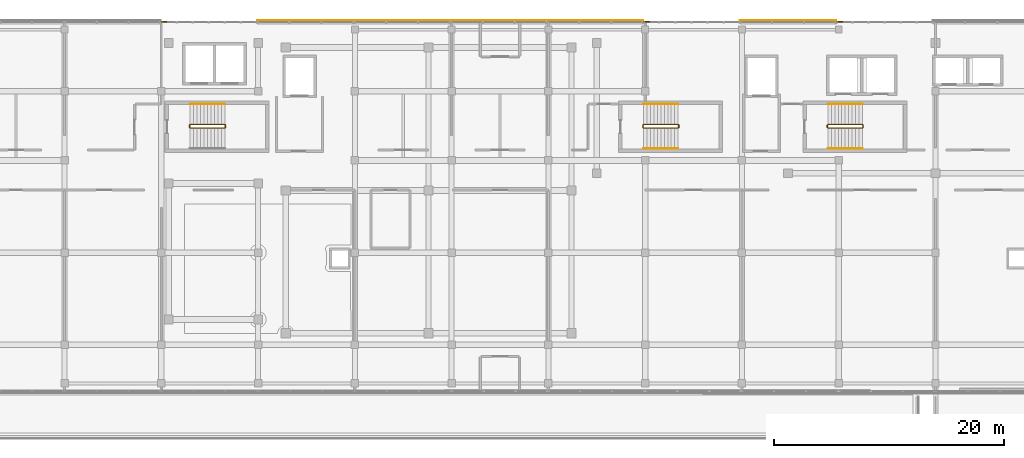
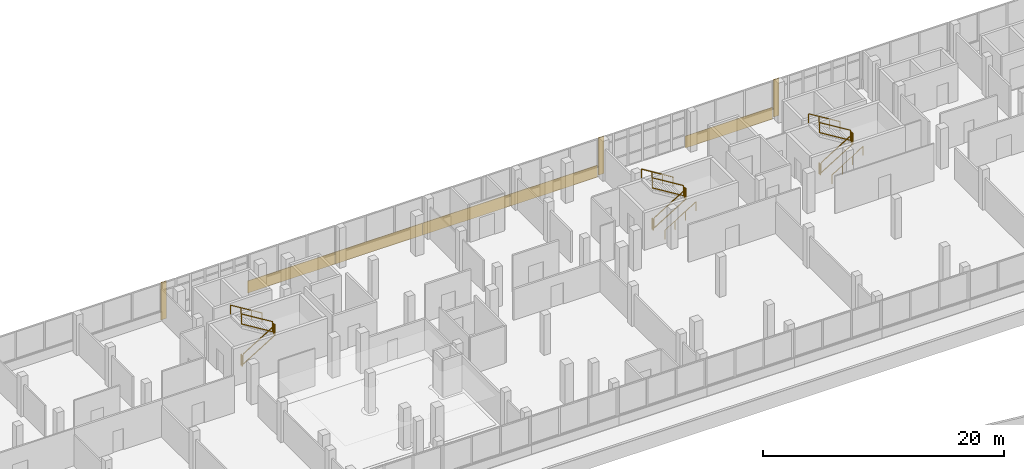
# One storey, part 75 of 78: 17 railings, 8 coverings.
"""IFC4 building model written with IfcOpenShell, lengths in metres."""

import ifcopenshell
import ifcopenshell.guid

model = None  # the IFC model being written
_history = None  # IfcOwnerHistory: only IFC2X3 demands one
_inside = {}  # id of a spatial element -> (the spatial element, [elements in it])
_under = {}  # id of a project, library or spatial element -> (it, [spatial elements below it])
_declared = {}  # id of a project -> (the project, [libraries it declares])
_typed = {}  # id of a type object -> (the type object, [elements of that type])
_made_of = {}  # id of a material, layer set ... -> (it, [elements and type objects made of it])


def new_model(schema):
    """Start an empty IFC model of exactly this schema.

    Asked for "IFC4X3", IfcOpenShell would pick the latest addendum, in which some entities
    have other attributes; the version numbers below select the first issue.
    IFC2X3 requires an IfcOwnerHistory on every rooted entity: one is made here for all.
    """
    global model, _history
    if schema == "IFC4X3":
        model = ifcopenshell.file(schema_version=(4, 3, 0, 0))
    else:
        model = ifcopenshell.file(schema=schema)
    _inside.clear()
    _under.clear()
    _declared.clear()
    _typed.clear()
    _made_of.clear()
    _history = None
    if model.schema == "IFC2X3":
        org = make("IfcOrganization", Name="unknown")
        user = make(
            "IfcPersonAndOrganization",
            ThePerson=make("IfcPerson", FamilyName="unknown"),
            TheOrganization=org,
        )
        app = make(
            "IfcApplication",
            ApplicationDeveloper=org,
            Version="unknown",
            ApplicationFullName="unknown",
            ApplicationIdentifier="unknown",
        )
        _history = make(
            "IfcOwnerHistory",
            OwningUser=user,
            OwningApplication=app,
            ChangeAction="ADDED",
            CreationDate=0,
        )
    return model


def make(cls, **values):
    """One entity of the class cls with the attributes given. An attribute that is None is left unset."""
    return model.create_entity(
        cls, **{name: value for name, value in values.items() if value is not None}
    )


def rooted(cls, **values):
    """An entity with a GlobalId (a new one), such as an element, a storey or a relation."""
    return make(cls, GlobalId=ifcopenshell.guid.new(), OwnerHistory=_history, **values)


def si_unit(unit_type, name, prefix=None):
    """IfcSIUnit, for example si_unit("LENGTHUNIT", "METRE", prefix="MILLI")."""
    return make("IfcSIUnit", UnitType=unit_type, Prefix=prefix, Name=name)


def assignment(units):
    """IfcUnitAssignment: the units of a project."""
    return None if units is None else make("IfcUnitAssignment", Units=units)


def point(xyz):
    """IfcCartesianPoint."""
    return None if xyz is None else make("IfcCartesianPoint", Coordinates=xyz)


def direction(xyz):
    """IfcDirection."""
    return None if xyz is None else make("IfcDirection", DirectionRatios=xyz)


def frame(location, z_axis=None, x_axis=None):
    """IfcAxis2Placement3D, a coordinate frame: its origin and axes. An axis left out is left unset."""
    return make(
        "IfcAxis2Placement3D",
        Location=point(location),
        Axis=direction(z_axis),
        RefDirection=direction(x_axis),
    )


def frame_2d(location, x_axis=None):
    """IfcAxis2Placement2D, a coordinate frame in the plane: its origin and x axis."""
    return make(
        "IfcAxis2Placement2D", Location=point(location), RefDirection=direction(x_axis)
    )


def origin():
    """The frame at (0, 0, 0) with its axes left unset."""
    return frame((0.0, 0.0, 0.0))


def origin_2d():
    """The frame at (0, 0) in the plane with its x axis left unset."""
    return frame_2d((0.0, 0.0))


def place(relative_to, where):
    """IfcLocalPlacement: puts the frame where relative to a parent placement (None: the world)."""
    return make(
        "IfcLocalPlacement", PlacementRelTo=relative_to, RelativePlacement=where
    )


def context(
    kind, dimensions, precision=None, world=None, true_north=None, identifier=None
):
    """IfcGeometricRepresentationContext, for example the 3D "Model" context."""
    return make(
        "IfcGeometricRepresentationContext",
        ContextIdentifier=identifier,
        ContextType=kind,
        CoordinateSpaceDimension=dimensions,
        Precision=precision,
        WorldCoordinateSystem=world,
        TrueNorth=true_north,
    )


def subcontext(parent, identifier, kind, view, scale=None):
    """IfcGeometricRepresentationSubContext, for example "Body" below "Model"."""
    return make(
        "IfcGeometricRepresentationSubContext",
        ContextIdentifier=identifier,
        ContextType=kind,
        ParentContext=parent,
        TargetScale=scale,
        TargetView=view,
    )


def project(units=None, contexts=None):
    """IfcProject with its units and contexts."""
    return rooted(
        "IfcProject",
        Name="project",
        RepresentationContexts=contexts,
        UnitsInContext=assignment(units),
    )


def spatial(cls, under=None, at=None, **own):
    """A site, building, storey or space (cls), placed at a placement, below another one or the project."""
    s = rooted(cls, ObjectPlacement=at, **own)
    if under is not None:
        _under.setdefault(under.id(), (under, []))[1].append(s)
    return s


def profile(cls, at=None, kind="AREA", **sizes):
    """A parametric profile (cls). Its sizes go by their IFC names, for example OverallWidth=200.0."""
    return make(cls, ProfileType=kind, Position=at, **sizes)


def rectangle(**sizes):
    """IfcRectangleProfileDef."""
    return profile("IfcRectangleProfileDef", **sizes)


def circle(**sizes):
    """IfcCircleProfileDef."""
    return profile("IfcCircleProfileDef", **sizes)


def extrude(swept, where, along, depth):
    """IfcExtrudedAreaSolid: the profile swept, set in the frame where, extruded along a direction by depth."""
    return make(
        "IfcExtrudedAreaSolid",
        SweptArea=swept,
        Position=where,
        ExtrudedDirection=direction(along),
        Depth=depth,
    )


def shape(context_of_items, identifier, shape_type, items):
    """IfcShapeRepresentation: the items that make up one representation, for example the "Body"."""
    return make(
        "IfcShapeRepresentation",
        ContextOfItems=context_of_items,
        RepresentationIdentifier=identifier,
        RepresentationType=shape_type,
        Items=items,
    )


def material(Name=None, Category=None):
    """IfcMaterial."""
    return make("IfcMaterial", Name=Name, Category=Category)


def layer(
    of_material, thickness, ventilated=None, Name=None, Category=None, Priority=None
):
    """IfcMaterialLayer: one layer of a wall or slab, of a material (None: an air gap)."""
    return make(
        "IfcMaterialLayer",
        Material=of_material,
        LayerThickness=thickness,
        IsVentilated=ventilated,
        Name=Name,
        Category=Category,
        Priority=Priority,
    )


def layer_set(layers, Name=None):
    """IfcMaterialLayerSet."""
    return make("IfcMaterialLayerSet", MaterialLayers=layers, LayerSetName=Name)


def made_of(thing, what):
    """Note that an element or type object is made of a material, layer set ...; save() writes the relation."""
    if what is not None:
        _made_of.setdefault(what.id(), (what, []))[1].append(thing)
    return thing


def type_object(cls, material=None, **own):
    """A type object (cls), such as IfcWallType, which elements share."""
    return made_of(rooted(cls, **own), material)


def element(
    cls,
    number,
    at=None,
    inside=None,
    cuts=None,
    type_object=None,
    material=None,
    context=None,
    identifier="Body",
    shape_type=None,
    held_by="IfcProductDefinitionShape",
    body=None,
    shapes=None,
    **own,
):
    """One element of the class cls, such as IfcWall. Its Tag is "e" and its number.

    at: its placement. inside: the storey or other place that contains it. cuts: it is an
    opening in that element (IfcRelVoidsElement). A single representation is given by context,
    identifier, shape_type and body (its items); several are given by shapes. held_by: the class
    of the entity that holds the representations. save() writes the other relations.
    """
    e = rooted(cls, Tag="e%d" % number, ObjectPlacement=at, **own)
    if body is not None:
        shapes = [shape(context, identifier, shape_type, body)]
    if shapes is not None:
        e.Representation = make(held_by, Representations=shapes)
    if inside is not None:
        _inside.setdefault(inside.id(), (inside, []))[1].append(e)
    if cuts is not None:
        rooted(
            "IfcRelVoidsElement", RelatingBuildingElement=cuts, RelatedOpeningElement=e
        )
    if type_object is not None:
        _typed.setdefault(type_object.id(), (type_object, []))[1].append(e)
    return made_of(e, material)


def aggregate(whole, parts):
    """IfcRelAggregates: a whole, such as a stair, and the parts it consists of."""
    return rooted("IfcRelAggregates", RelatingObject=whole, RelatedObjects=parts)


def save(model, path):
    """Write the relations noted so far, then the file.

    IfcRelAggregates (storeys below a building ...), IfcRelContainedInSpatialStructure (elements
    in a storey), IfcRelDefinesByType, IfcRelAssociatesMaterial and IfcRelDeclares: one each for
    every whole, place, type object, material and project.
    """
    for whole, parts in _under.values():
        aggregate(whole, parts)
    for where, things in _inside.values():
        rooted(
            "IfcRelContainedInSpatialStructure",
            RelatedElements=things,
            RelatingStructure=where,
        )
    for kind, things in _typed.values():
        rooted("IfcRelDefinesByType", RelatedObjects=things, RelatingType=kind)
    for what, things in _made_of.values():
        rooted("IfcRelAssociatesMaterial", RelatedObjects=things, RelatingMaterial=what)
    for by, libraries in _declared.values():
        rooted("IfcRelDeclares", RelatingContext=by, RelatedDefinitions=libraries)
    model.write(path)


model = new_model("IFC4")

# Units and contexts
model_context = context("Model", 3, precision=1e-05, world=origin(), true_north=direction((0.0, 1.0)))
body_context = subcontext(model_context, "Body", "Model", "MODEL_VIEW")
ifc_project = project(units=[si_unit("LENGTHUNIT", "METRE"), si_unit("AREAUNIT", "SQUARE_METRE"), si_unit("VOLUMEUNIT", "CUBIC_METRE"), si_unit("PLANEANGLEUNIT", "RADIAN"), si_unit("MASSUNIT", "GRAM", prefix="KILO")], contexts=[model_context])

# Site, building, storey
site_placement = place(None, origin())
site = spatial("IfcSite", under=ifc_project, at=site_placement, CompositionType="ELEMENT")
building_placement = place(site_placement, origin())
building = spatial("IfcBuilding", under=site, at=building_placement, Name="Selatvlak General Hospital", CompositionType="ELEMENT")
storey_placement = place(building_placement, frame((0.0, 0.0, 23.25)))
storey = spatial("IfcBuildingStorey", under=building, at=storey_placement, Name="L05", CompositionType="ELEMENT", Elevation=23.25)

# Coverings
ifc_material_1 = material(Name="White Bauhaus fair-faced cladding panel")
ifc_layer = layer(ifc_material_1, 0.054931640625, Name="White Bauhaus fair-faced cladding panel")
ifc_layer_set = layer_set([ifc_layer], Name="White Bauhaus fair-faced cladding panel")
covering_type = type_object("IfcCoveringType", Name="COV-WHT1", PredefinedType="CLADDING", material=ifc_layer_set)
covering_1_placement = place(storey_placement, frame((48.2119140625, 120.0439453125, -0.00048828125), z_axis=(0.0, 0.0, 1.0), x_axis=(1.0, 0.0, 0.0)))
element("IfcCovering", 1, at=covering_1_placement, inside=storey, type_object=covering_type, Name="L05 Bauhaus vertical core pilaster 0404", PredefinedType="CLADDING", context=body_context, shape_type="SweptSolid", body=[
    extrude(rectangle(XDim=0.550048828125, YDim=0.054931640625, at=origin_2d()), origin(), (0.0, 0.0, 1.0), 3.77490234375),
])
covering_2_placement = place(storey_placement, frame((60.5048828125, 120.1640625, -0.27978515625), z_axis=(0.0, 0.0, 1.0), x_axis=(1.0, 0.0, 0.0)))
element("IfcCovering", 2, at=covering_2_placement, inside=storey, type_object=covering_type, Name="L05 Bauhaus horizontal white spandrel band 0405", PredefinedType="CLADDING", context=body_context, shape_type="SweptSolid", body=[
    extrude(rectangle(XDim=8.3779296875, YDim=0.054931640625, at=origin_2d()), origin(), (0.0, 0.0, 1.0), 1.219970703125),
])
for number, where, z_axis, x_axis, name in (
    (3, (68.883056640625, 120.1640625, -0.27978515625), (0.0, 0.0, 1.0), (1.0, 0.0, 0.0), "L05 Bauhaus horizontal white spandrel band 0406"),
    (4, (77.261962890625, 120.1640625, -0.27978515625), (0.0, 0.0, 1.0), (1.0, 0.0, 0.0), "L05 Bauhaus horizontal white spandrel band 0407"),
    (5, (85.64208984375, 120.1640625, -0.27978515625), (0.0, 0.0, 1.0), (1.0, 0.0, 0.0), "L05 Bauhaus horizontal white spandrel band 0408"),
):
    element("IfcCovering", number, at=place(storey_placement, frame(where, z_axis=z_axis, x_axis=x_axis)), inside=storey, type_object=covering_type, Name=name, PredefinedType="CLADDING", context=body_context, shape_type="SweptSolid", body=[
        extrude(rectangle(XDim=8.37890625, YDim=0.054931640625, at=origin_2d()), origin(), (0.0, 0.0, 1.0), 1.219970703125),
    ])
covering_3_placement = place(storey_placement, frame((90.10595703125, 120.0439453125, -0.00048828125), z_axis=(0.0, 0.0, 1.0), x_axis=(1.0, 0.0, 0.0)))
element("IfcCovering", 6, at=covering_3_placement, inside=storey, type_object=covering_type, Name="L05 Bauhaus vertical core pilaster 0409", PredefinedType="CLADDING", context=body_context, shape_type="SweptSolid", body=[
    extrude(rectangle(XDim=0.550048828125, YDim=0.054931640625, at=origin_2d()), origin(), (0.0, 0.0, 1.0), 3.77490234375),
])
covering_4_placement = place(storey_placement, frame((102.39892578125, 120.1640625, -0.27978515625), z_axis=(0.0, 0.0, 1.0), x_axis=(0.999999992537, 0.000122173047, 0.0)))
element("IfcCovering", 7, at=covering_4_placement, inside=storey, type_object=covering_type, Name="L05 Bauhaus horizontal white spandrel band 0410", PredefinedType="CLADDING", context=body_context, shape_type="SweptSolid", body=[
    extrude(rectangle(XDim=8.37890625, YDim=0.054931640625, at=origin_2d()), origin(), (0.0, 0.0, 1.0), 1.219970703125),
])
covering_5_placement = place(storey_placement, frame((106.864013671875, 120.044921875, -0.00048828125), z_axis=(0.0, 0.0, 1.0), x_axis=(1.0, 0.0, 0.0)))
element("IfcCovering", 8, at=covering_5_placement, inside=storey, type_object=covering_type, Name="L05 Bauhaus vertical core pilaster 0411", PredefinedType="CLADDING", context=body_context, shape_type="SweptSolid", body=[
    extrude(rectangle(XDim=0.550048828125, YDim=0.054931640625, at=origin_2d()), origin(), (0.0, 0.0, 1.0), 3.77490234375),
])

# Railings
ifc_material_2 = material(Name="Stainless steel 316 stair guard", Category="steel")
railing_type_1 = type_object("IfcRailingType", Name="RAIL-STG", PredefinedType="GUARDRAIL", material=ifc_material_2)
railing_1_placement = place(storey_placement, frame((50.510009765625, 110.81005859375, 0.18408203125)))
element("IfcRailing", 9, at=railing_1_placement, inside=storey, type_object=railing_type_1, Name="L05 ST-01 stair guard 1", PredefinedType="GUARDRAIL", context=body_context, shape_type="SweptSolid", body=[
    extrude(rectangle(XDim=0.068115234375, YDim=0.068115234375, at=origin_2d()), frame((0.00244140625, 0.0, 1.067626953125), z_axis=(0.852333972304, 0.0, 0.522997896417), x_axis=(0.0, 1.0, 0.0)), (0.0, 0.0, 1.0), 3.513916015625),
    extrude(rectangle(XDim=0.068115234375, YDim=0.068115234375, at=origin_2d()), frame((0.00244140625, 0.0, 0.050537109375), z_axis=(0.852333972304, 0.0, 0.522997896417), x_axis=(0.0, 1.0, 0.0)), (0.0, 0.0, 1.0), 3.513916015625),
    extrude(rectangle(XDim=0.055908203125, YDim=0.055908203125, at=origin_2d()), origin(), (0.0, 0.0, 1.0), 1.029052734375),
    extrude(rectangle(XDim=0.055908203125, YDim=0.055908203125, at=origin_2d()), frame((3.0, 0.0, 1.8408203125)), (0.0, 0.0, 1.0), 1.029052734375),
])
railing_2_placement = place(storey_placement, frame((53.56005859375, 110.860107421875, 2.02490234375)))
element("IfcRailing", 10, at=railing_2_placement, inside=storey, type_object=railing_type_1, Name="L05 ST-01 stair guard 2", PredefinedType="GUARDRAIL", context=body_context, shape_type="SweptSolid", body=[
    extrude(rectangle(XDim=0.068115234375, YDim=0.068115234375, at=origin_2d()), frame((0.0, 0.0029296875, 1.06591796875), z_axis=(0.0, 1.0, 0.0), x_axis=(-1.0, 0.0, 0.0)), (0.0, 0.0, 1.0), 0.214111328125),
    extrude(rectangle(XDim=0.068115234375, YDim=0.068115234375, at=origin_2d()), frame((0.0, 0.0029296875, 0.049072265625), z_axis=(0.0, 1.0, 0.0), x_axis=(-1.0, 0.0, 0.0)), (0.0, 0.0, 1.0), 0.214111328125),
    extrude(rectangle(XDim=0.055908203125, YDim=0.055908203125, at=origin_2d()), origin(), (0.0, 0.0, 1.0), 1.029052734375),
    extrude(rectangle(XDim=0.055908203125, YDim=0.055908203125, at=origin_2d()), frame((0.0, 0.219970703125, 0.0)), (0.0, 0.0, 1.0), 1.029052734375),
])
railing_3_placement = place(storey_placement, frame((53.510009765625, 111.1298828125, 2.208984375)))
element("IfcRailing", 11, at=railing_3_placement, inside=storey, type_object=railing_type_1, Name="L05 ST-01 stair guard 3", PredefinedType="GUARDRAIL", context=body_context, shape_type="SweptSolid", body=[
    extrude(rectangle(XDim=0.068115234375, YDim=0.068115234375, at=origin_2d()), frame((-0.00244140625, 0.0, 1.067626953125), z_axis=(-0.852303052018, 0.0, 0.52304828412), x_axis=(0.0, -1.0, 0.0)), (0.0, 0.0, 1.0), 3.513916015625),
    extrude(rectangle(XDim=0.068115234375, YDim=0.068115234375, at=origin_2d()), frame((-0.00244140625, 0.0, 0.050537109375), z_axis=(-0.852303052018, 0.0, 0.52304828412), x_axis=(0.0, -1.0, 0.0)), (0.0, 0.0, 1.0), 3.513916015625),
    extrude(rectangle(XDim=0.055908203125, YDim=0.055908203125, at=origin_2d()), origin(), (0.0, 0.0, 1.0), 1.029052734375),
    extrude(rectangle(XDim=0.055908203125, YDim=0.055908203125, at=origin_2d()), frame((-3.0, 0.0, 1.841064453125)), (0.0, 0.0, 1.0), 1.029052734375),
])
railing_4_placement = place(storey_placement, frame((50.4599609375, 110.860107421875, 0.0)))
element("IfcRailing", 12, at=railing_4_placement, inside=storey, type_object=railing_type_1, Name="L05 ST-01 stair guard 4", PredefinedType="GUARDRAIL", context=body_context, shape_type="SweptSolid", body=[
    extrude(rectangle(XDim=0.068115234375, YDim=0.068115234375, at=origin_2d()), frame((0.0, 0.0029296875, 1.06591796875), z_axis=(0.0, 1.0, 0.0), x_axis=(-1.0, 0.0, 0.0)), (0.0, 0.0, 1.0), 0.214111328125),
    extrude(rectangle(XDim=0.068115234375, YDim=0.068115234375, at=origin_2d()), frame((0.0, 0.0029296875, 0.049072265625), z_axis=(0.0, 1.0, 0.0), x_axis=(-1.0, 0.0, 0.0)), (0.0, 0.0, 1.0), 0.214111328125),
    extrude(rectangle(XDim=0.055908203125, YDim=0.055908203125, at=origin_2d()), origin(), (0.0, 0.0, 1.0), 1.029052734375),
    extrude(rectangle(XDim=0.055908203125, YDim=0.055908203125, at=origin_2d()), frame((0.0, 0.219970703125, 0.0)), (0.0, 0.0, 1.0), 1.029052734375),
])
railing_5_placement = place(storey_placement, frame((89.860107421875, 110.81005859375, 0.18408203125)))
element("IfcRailing", 13, at=railing_5_placement, inside=storey, type_object=railing_type_1, Name="L05 ST-02 stair guard 1", PredefinedType="GUARDRAIL", context=body_context, shape_type="SweptSolid", body=[
    extrude(rectangle(XDim=0.068115234375, YDim=0.068115234375, at=origin_2d()), frame((0.00244140625, 0.0, 1.067626953125), z_axis=(0.852333972304, 0.0, 0.522997896417), x_axis=(0.0, 1.0, 0.0)), (0.0, 0.0, 1.0), 3.513916015625),
    extrude(rectangle(XDim=0.068115234375, YDim=0.068115234375, at=origin_2d()), frame((0.00244140625, 0.0, 0.050537109375), z_axis=(0.852333972304, 0.0, 0.522997896417), x_axis=(0.0, 1.0, 0.0)), (0.0, 0.0, 1.0), 3.513916015625),
    extrude(rectangle(XDim=0.055908203125, YDim=0.055908203125, at=origin_2d()), origin(), (0.0, 0.0, 1.0), 1.029052734375),
    extrude(rectangle(XDim=0.055908203125, YDim=0.055908203125, at=origin_2d()), frame((3.0, 0.0, 1.8408203125)), (0.0, 0.0, 1.0), 1.029052734375),
])
railing_6_placement = place(storey_placement, frame((92.909912109375, 110.860107421875, 2.02490234375)))
element("IfcRailing", 14, at=railing_6_placement, inside=storey, type_object=railing_type_1, Name="L05 ST-02 stair guard 2", PredefinedType="GUARDRAIL", context=body_context, shape_type="SweptSolid", body=[
    extrude(rectangle(XDim=0.068115234375, YDim=0.068115234375, at=origin_2d()), frame((0.0, 0.0029296875, 1.06591796875), z_axis=(0.0, 1.0, 0.0), x_axis=(-1.0, 0.0, 0.0)), (0.0, 0.0, 1.0), 0.214111328125),
    extrude(rectangle(XDim=0.068115234375, YDim=0.068115234375, at=origin_2d()), frame((0.0, 0.0029296875, 0.049072265625), z_axis=(0.0, 1.0, 0.0), x_axis=(-1.0, 0.0, 0.0)), (0.0, 0.0, 1.0), 0.214111328125),
    extrude(rectangle(XDim=0.055908203125, YDim=0.055908203125, at=origin_2d()), origin(), (0.0, 0.0, 1.0), 1.029052734375),
    extrude(rectangle(XDim=0.055908203125, YDim=0.055908203125, at=origin_2d()), frame((0.0, 0.219970703125, 0.0)), (0.0, 0.0, 1.0), 1.029052734375),
])
railing_7_placement = place(storey_placement, frame((92.860107421875, 111.1298828125, 2.208984375)))
element("IfcRailing", 15, at=railing_7_placement, inside=storey, type_object=railing_type_1, Name="L05 ST-02 stair guard 3", PredefinedType="GUARDRAIL", context=body_context, shape_type="SweptSolid", body=[
    extrude(rectangle(XDim=0.068115234375, YDim=0.068115234375, at=origin_2d()), frame((-0.00244140625, 0.0, 1.067626953125), z_axis=(-0.852303052018, 0.0, 0.52304828412), x_axis=(0.0, -1.0, 0.0)), (0.0, 0.0, 1.0), 3.513916015625),
    extrude(rectangle(XDim=0.068115234375, YDim=0.068115234375, at=origin_2d()), frame((-0.00244140625, 0.0, 0.050537109375), z_axis=(-0.852303052018, 0.0, 0.52304828412), x_axis=(0.0, -1.0, 0.0)), (0.0, 0.0, 1.0), 3.513916015625),
    extrude(rectangle(XDim=0.055908203125, YDim=0.055908203125, at=origin_2d()), origin(), (0.0, 0.0, 1.0), 1.029052734375),
    extrude(rectangle(XDim=0.055908203125, YDim=0.055908203125, at=origin_2d()), frame((-3.0, 0.0, 1.841064453125)), (0.0, 0.0, 1.0), 1.029052734375),
])
railing_8_placement = place(storey_placement, frame((89.81005859375, 110.860107421875, 0.0)))
element("IfcRailing", 16, at=railing_8_placement, inside=storey, type_object=railing_type_1, Name="L05 ST-02 stair guard 4", PredefinedType="GUARDRAIL", context=body_context, shape_type="SweptSolid", body=[
    extrude(rectangle(XDim=0.068115234375, YDim=0.068115234375, at=origin_2d()), frame((0.0, 0.0029296875, 1.06591796875), z_axis=(0.0, 1.0, 0.0), x_axis=(-1.0, 0.0, 0.0)), (0.0, 0.0, 1.0), 0.214111328125),
    extrude(rectangle(XDim=0.068115234375, YDim=0.068115234375, at=origin_2d()), frame((0.0, 0.0029296875, 0.049072265625), z_axis=(0.0, 1.0, 0.0), x_axis=(-1.0, 0.0, 0.0)), (0.0, 0.0, 1.0), 0.214111328125),
    extrude(rectangle(XDim=0.055908203125, YDim=0.055908203125, at=origin_2d()), origin(), (0.0, 0.0, 1.0), 1.029052734375),
    extrude(rectangle(XDim=0.055908203125, YDim=0.055908203125, at=origin_2d()), frame((0.0, 0.219970703125, 0.0)), (0.0, 0.0, 1.0), 1.029052734375),
])
railing_9_placement = place(storey_placement, frame((105.860107421875, 110.81005859375, 0.18408203125)))
element("IfcRailing", 17, at=railing_9_placement, inside=storey, type_object=railing_type_1, Name="L05 ST-03 stair guard 1", PredefinedType="GUARDRAIL", context=body_context, shape_type="SweptSolid", body=[
    extrude(rectangle(XDim=0.068115234375, YDim=0.068115234375, at=origin_2d()), frame((0.00244140625, 0.0, 1.067626953125), z_axis=(0.852333972304, 0.0, 0.522997896417), x_axis=(0.0, 1.0, 0.0)), (0.0, 0.0, 1.0), 3.513916015625),
    extrude(rectangle(XDim=0.068115234375, YDim=0.068115234375, at=origin_2d()), frame((0.00244140625, 0.0, 0.050537109375), z_axis=(0.852333972304, 0.0, 0.522997896417), x_axis=(0.0, 1.0, 0.0)), (0.0, 0.0, 1.0), 3.513916015625),
    extrude(rectangle(XDim=0.055908203125, YDim=0.055908203125, at=origin_2d()), origin(), (0.0, 0.0, 1.0), 1.029052734375),
    extrude(rectangle(XDim=0.055908203125, YDim=0.055908203125, at=origin_2d()), frame((3.0, 0.0, 1.8408203125)), (0.0, 0.0, 1.0), 1.029052734375),
])
railing_10_placement = place(storey_placement, frame((108.909912109375, 110.860107421875, 2.02490234375)))
element("IfcRailing", 18, at=railing_10_placement, inside=storey, type_object=railing_type_1, Name="L05 ST-03 stair guard 2", PredefinedType="GUARDRAIL", context=body_context, shape_type="SweptSolid", body=[
    extrude(rectangle(XDim=0.068115234375, YDim=0.068115234375, at=origin_2d()), frame((0.0, 0.0029296875, 1.06591796875), z_axis=(0.0, 1.0, 0.0), x_axis=(-1.0, 0.0, 0.0)), (0.0, 0.0, 1.0), 0.214111328125),
    extrude(rectangle(XDim=0.068115234375, YDim=0.068115234375, at=origin_2d()), frame((0.0, 0.0029296875, 0.049072265625), z_axis=(0.0, 1.0, 0.0), x_axis=(-1.0, 0.0, 0.0)), (0.0, 0.0, 1.0), 0.214111328125),
    extrude(rectangle(XDim=0.055908203125, YDim=0.055908203125, at=origin_2d()), origin(), (0.0, 0.0, 1.0), 1.029052734375),
    extrude(rectangle(XDim=0.055908203125, YDim=0.055908203125, at=origin_2d()), frame((0.0, 0.219970703125, 0.0)), (0.0, 0.0, 1.0), 1.029052734375),
])
railing_11_placement = place(storey_placement, frame((108.860107421875, 111.1298828125, 2.208984375)))
element("IfcRailing", 19, at=railing_11_placement, inside=storey, type_object=railing_type_1, Name="L05 ST-03 stair guard 3", PredefinedType="GUARDRAIL", context=body_context, shape_type="SweptSolid", body=[
    extrude(rectangle(XDim=0.068115234375, YDim=0.068115234375, at=origin_2d()), frame((-0.00244140625, 0.0, 1.067626953125), z_axis=(-0.852303052018, 0.0, 0.52304828412), x_axis=(0.0, -1.0, 0.0)), (0.0, 0.0, 1.0), 3.513916015625),
    extrude(rectangle(XDim=0.068115234375, YDim=0.068115234375, at=origin_2d()), frame((-0.00244140625, 0.0, 0.050537109375), z_axis=(-0.852303052018, 0.0, 0.52304828412), x_axis=(0.0, -1.0, 0.0)), (0.0, 0.0, 1.0), 3.513916015625),
    extrude(rectangle(XDim=0.055908203125, YDim=0.055908203125, at=origin_2d()), origin(), (0.0, 0.0, 1.0), 1.029052734375),
    extrude(rectangle(XDim=0.055908203125, YDim=0.055908203125, at=origin_2d()), frame((-3.0, 0.0, 1.841064453125)), (0.0, 0.0, 1.0), 1.029052734375),
])
railing_12_placement = place(storey_placement, frame((105.81005859375, 110.860107421875, 0.0)))
element("IfcRailing", 20, at=railing_12_placement, inside=storey, type_object=railing_type_1, Name="L05 ST-03 stair guard 4", PredefinedType="GUARDRAIL", context=body_context, shape_type="SweptSolid", body=[
    extrude(rectangle(XDim=0.068115234375, YDim=0.068115234375, at=origin_2d()), frame((0.0, 0.0029296875, 1.06591796875), z_axis=(0.0, 1.0, 0.0), x_axis=(-1.0, 0.0, 0.0)), (0.0, 0.0, 1.0), 0.214111328125),
    extrude(rectangle(XDim=0.068115234375, YDim=0.068115234375, at=origin_2d()), frame((0.0, 0.0029296875, 0.049072265625), z_axis=(0.0, 1.0, 0.0), x_axis=(-1.0, 0.0, 0.0)), (0.0, 0.0, 1.0), 0.214111328125),
    extrude(rectangle(XDim=0.055908203125, YDim=0.055908203125, at=origin_2d()), origin(), (0.0, 0.0, 1.0), 1.029052734375),
    extrude(rectangle(XDim=0.055908203125, YDim=0.055908203125, at=origin_2d()), frame((0.0, 0.219970703125, 0.0)), (0.0, 0.0, 1.0), 1.029052734375),
])
ifc_material_3 = material(Name="Stainless steel 316 handrail", Category="steel")
railing_type_2 = type_object("IfcRailingType", Name="RAIL-STH", PredefinedType="HANDRAIL", material=ifc_material_3)
railing_13_placement = place(storey_placement, frame((53.510009765625, 112.889892578125, 2.208984375)))
element("IfcRailing", 21, at=railing_13_placement, inside=storey, type_object=railing_type_2, Name="L05 ST-01 stair handrail 2", PredefinedType="HANDRAIL", context=body_context, shape_type="SweptSolid", body=[
    extrude(circle(Radius=0.02392578125, at=origin_2d()), frame((-0.00244140625, 0.0, 0.87744140625), z_axis=(-0.852303052018, 0.0, 0.52304828412), x_axis=(0.0, -1.0, 0.0)), (0.0, 0.0, 1.0), 3.513916015625),
    extrude(circle(Radius=0.02099609375, at=origin_2d()), origin(), (0.0, 0.0, 1.0), 0.848876953125),
    extrude(circle(Radius=0.02099609375, at=origin_2d()), frame((-1.0, 0.0, 0.61376953125)), (0.0, 0.0, 1.0), 0.848876953125),
    extrude(circle(Radius=0.02099609375, at=origin_2d()), frame((-2.0, 0.0, 1.227294921875)), (0.0, 0.0, 1.0), 0.848876953125),
    extrude(circle(Radius=0.02099609375, at=origin_2d()), frame((-3.0, 0.0, 1.841064453125)), (0.0, 0.0, 1.0), 0.848876953125),
])
railing_14_placement = place(storey_placement, frame((89.860107421875, 109.050048828125, 0.18408203125)))
element("IfcRailing", 22, at=railing_14_placement, inside=storey, type_object=railing_type_2, Name="L05 ST-02 stair handrail 1", PredefinedType="HANDRAIL", context=body_context, shape_type="SweptSolid", body=[
    extrude(circle(Radius=0.02392578125, at=origin_2d()), frame((0.00244140625, 0.0, 0.87744140625), z_axis=(0.852333972304, 0.0, 0.522997896417), x_axis=(0.0, 1.0, 0.0)), (0.0, 0.0, 1.0), 3.513916015625),
    extrude(circle(Radius=0.02099609375, at=origin_2d()), origin(), (0.0, 0.0, 1.0), 0.848876953125),
    extrude(circle(Radius=0.02099609375, at=origin_2d()), frame((1.0, 0.0, 0.613525390625)), (0.0, 0.0, 1.0), 0.848876953125),
    extrude(circle(Radius=0.02099609375, at=origin_2d()), frame((2.0, 0.0, 1.227294921875)), (0.0, 0.0, 1.0), 0.848876953125),
    extrude(circle(Radius=0.02099609375, at=origin_2d()), frame((3.0, 0.0, 1.8408203125)), (0.0, 0.0, 1.0), 0.848876953125),
])
railing_15_placement = place(storey_placement, frame((92.860107421875, 112.889892578125, 2.208984375)))
element("IfcRailing", 23, at=railing_15_placement, inside=storey, type_object=railing_type_2, Name="L05 ST-02 stair handrail 2", PredefinedType="HANDRAIL", context=body_context, shape_type="SweptSolid", body=[
    extrude(circle(Radius=0.02392578125, at=origin_2d()), frame((-0.00244140625, 0.0, 0.87744140625), z_axis=(-0.852303052018, 0.0, 0.52304828412), x_axis=(0.0, -1.0, 0.0)), (0.0, 0.0, 1.0), 3.513916015625),
    extrude(circle(Radius=0.02099609375, at=origin_2d()), origin(), (0.0, 0.0, 1.0), 0.848876953125),
    extrude(circle(Radius=0.02099609375, at=origin_2d()), frame((-1.0, 0.0, 0.61376953125)), (0.0, 0.0, 1.0), 0.848876953125),
    extrude(circle(Radius=0.02099609375, at=origin_2d()), frame((-2.0, 0.0, 1.227294921875)), (0.0, 0.0, 1.0), 0.848876953125),
    extrude(circle(Radius=0.02099609375, at=origin_2d()), frame((-3.0, 0.0, 1.841064453125)), (0.0, 0.0, 1.0), 0.848876953125),
])
railing_16_placement = place(storey_placement, frame((105.860107421875, 109.050048828125, 0.18408203125)))
element("IfcRailing", 24, at=railing_16_placement, inside=storey, type_object=railing_type_2, Name="L05 ST-03 stair handrail 1", PredefinedType="HANDRAIL", context=body_context, shape_type="SweptSolid", body=[
    extrude(circle(Radius=0.02392578125, at=origin_2d()), frame((0.00244140625, 0.0, 0.87744140625), z_axis=(0.852333972304, 0.0, 0.522997896417), x_axis=(0.0, 1.0, 0.0)), (0.0, 0.0, 1.0), 3.513916015625),
    extrude(circle(Radius=0.02099609375, at=origin_2d()), origin(), (0.0, 0.0, 1.0), 0.848876953125),
    extrude(circle(Radius=0.02099609375, at=origin_2d()), frame((1.0, 0.0, 0.613525390625)), (0.0, 0.0, 1.0), 0.848876953125),
    extrude(circle(Radius=0.02099609375, at=origin_2d()), frame((2.0, 0.0, 1.227294921875)), (0.0, 0.0, 1.0), 0.848876953125),
    extrude(circle(Radius=0.02099609375, at=origin_2d()), frame((3.0, 0.0, 1.8408203125)), (0.0, 0.0, 1.0), 0.848876953125),
])
railing_17_placement = place(storey_placement, frame((108.860107421875, 112.889892578125, 2.208984375)))
element("IfcRailing", 25, at=railing_17_placement, inside=storey, type_object=railing_type_2, Name="L05 ST-03 stair handrail 2", PredefinedType="HANDRAIL", context=body_context, shape_type="SweptSolid", body=[
    extrude(circle(Radius=0.02392578125, at=origin_2d()), frame((-0.00244140625, 0.0, 0.87744140625), z_axis=(-0.852303052018, 0.0, 0.52304828412), x_axis=(0.0, -1.0, 0.0)), (0.0, 0.0, 1.0), 3.513916015625),
    extrude(circle(Radius=0.02099609375, at=origin_2d()), origin(), (0.0, 0.0, 1.0), 0.848876953125),
    extrude(circle(Radius=0.02099609375, at=origin_2d()), frame((-1.0, 0.0, 0.61376953125)), (0.0, 0.0, 1.0), 0.848876953125),
    extrude(circle(Radius=0.02099609375, at=origin_2d()), frame((-2.0, 0.0, 1.227294921875)), (0.0, 0.0, 1.0), 0.848876953125),
    extrude(circle(Radius=0.02099609375, at=origin_2d()), frame((-3.0, 0.0, 1.841064453125)), (0.0, 0.0, 1.0), 0.848876953125),
])

save(model, "model.ifc")
